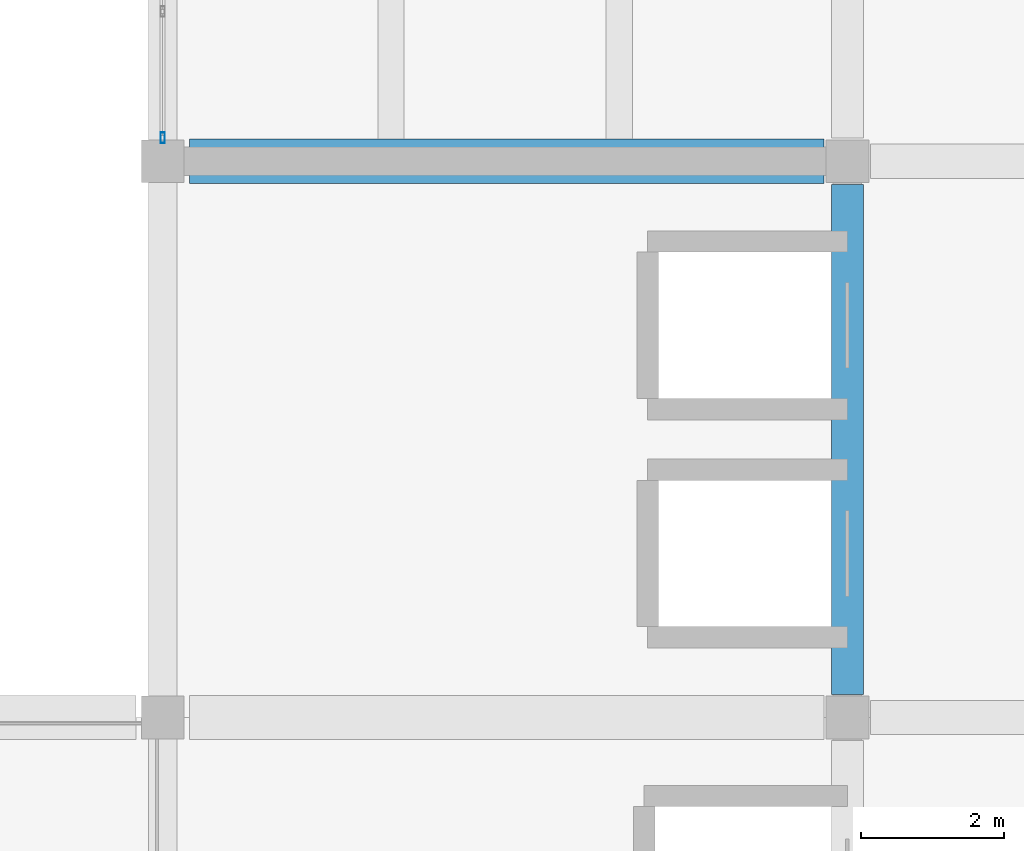
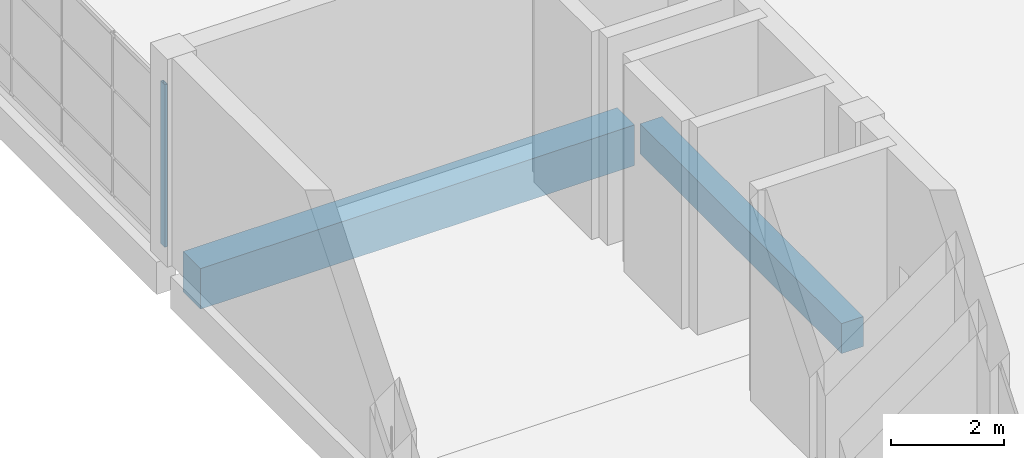
# One storey, part 23 of 71: 2 beams, 1 member, 1 element without a shape of its own.
"""IFC4 building model written with IfcOpenShell, lengths in metres."""

from ifc_helpers import new_model, si_unit, direction, frame, origin, origin_2d, place, context, subcontext, project, spatial, rectangle, hollow_rectangle, extrude, material, material_profile, profile_set, type_object, element, aggregate, save


model = new_model("IFC4")

# Units and contexts
model_context = context("Model", 3, precision=1e-05, world=origin(), true_north=direction((0.0, 1.0)))
body_context = subcontext(model_context, "Body", "Model", "MODEL_VIEW")
ifc_project = project(units=[si_unit("LENGTHUNIT", "METRE"), si_unit("AREAUNIT", "SQUARE_METRE"), si_unit("VOLUMEUNIT", "CUBIC_METRE"), si_unit("PLANEANGLEUNIT", "RADIAN"), si_unit("MASSUNIT", "GRAM", prefix="KILO")], contexts=[model_context])

# Site, building, storey
site_placement = place(None, origin())
site = spatial("IfcSite", under=ifc_project, at=site_placement, CompositionType="ELEMENT")
building_placement = place(site_placement, origin())
building = spatial("IfcBuilding", under=site, at=building_placement, Name="Pellamere Symphony Hall", CompositionType="ELEMENT")
storey_placement = place(building_placement, frame((0.0, 0.0, 15.0)))
storey = spatial("IfcBuildingStorey", under=building, at=storey_placement, Name="L03", CompositionType="ELEMENT", Elevation=15.0)

# Curtain wall, member
ifc_material_1 = material(Name="Thermally Broken Anodised Aluminium 6063-T6 Curtain Wall", Category="aluminium")
curtain_wall_type = type_object("IfcCurtainWallType", Name="Curtain Wall CW-05 (Artists Wing North Studio Ribbon Curtain Wall)", PredefinedType="NOTDEFINED", material=ifc_material_1)
curtain_wall_placement = place(storey_placement, origin())
curtain_wall = element("IfcCurtainWall", 1, at=curtain_wall_placement, inside=storey, type_object=curtain_wall_type, Name="Sculpture Court East Wing Curtain Wall (L03 Bay 1)", PredefinedType="NOTDEFINED")
ifc_material_2 = material(Name="Anodised Architectural Aluminium 6063-T6", Category="aluminium")
ifc_material_profile_1 = material_profile(ifc_material_2, hollow_rectangle(XDim=0.06005859375, YDim=0.14990234375, WallThickness=0.00390625, at=origin_2d()), Name="ALU-M60X150X4")
ifc_profile_set_1 = profile_set([ifc_material_profile_1], Name="Anodised Architectural Aluminium 6063-T6")
member_type = type_object("IfcMemberType", Name="Curtain Wall Mullion ML-03 ALU-M60X150X4", PredefinedType="MULLION", material=ifc_profile_set_1)
member_placement = place(storey_placement, frame((138.0, 62.1298828125, 0.0), z_axis=(0.0, 0.0, 1.0), x_axis=(-1.0, 0.0, 0.0)))
member = element("IfcMember", 2, at=member_placement, type_object=member_type, Name="CW5-142 crystal mullion 1", PredefinedType="MULLION", context=body_context, shape_type="SweptSolid", body=[
    extrude(hollow_rectangle(XDim=0.06005859375, YDim=0.14990234375, WallThickness=0.00390625, at=origin_2d()), origin(), (0.0, 0.0, 1.0), 3.52001953125),
])
aggregate(curtain_wall, [member])

# Beams
ifc_material_3 = material(Name="Concrete 40 MPa", Category="concrete")
ifc_material_profile_2 = material_profile(ifc_material_3, rectangle(XDim=0.449951171875, YDim=0.64990234375, at=origin_2d()), Name="RC 450x650")
ifc_profile_set_2 = profile_set([ifc_material_profile_2], Name="Concrete 40 MPa")
beam_type_1 = type_object("IfcBeamType", Name="RC CB-08 450x650", PredefinedType="BEAM", material=ifc_profile_set_2)
beam_1_placement = place(storey_placement, frame((147.60009765625, 54.324951171875, -0.5849609375), z_axis=(0.0, 1.0, 0.0), x_axis=(-1.0, 0.0, 0.0)))
element("IfcBeam", 3, at=beam_1_placement, inside=storey, type_object=beam_type_1, Name="Girder CB-08-Y1683 (L03)", PredefinedType="BEAM", context=body_context, shape_type="SweptSolid", body=[
    extrude(rectangle(XDim=0.449951171875, YDim=0.64990234375, at=origin_2d()), origin(), (0.0, 0.0, 1.0), 7.150146484375),
])
ifc_material_profile_3 = material_profile(ifc_material_3, rectangle(XDim=0.6201171875, YDim=0.8798828125, at=origin_2d()), Name="RC 620x880")
ifc_profile_set_3 = profile_set([ifc_material_profile_3], Name="Concrete 40 MPa")
beam_type_2 = type_object("IfcBeamType", Name="RC CB-17 620x880", PredefinedType="BEAM", material=ifc_profile_set_3)
beam_2_placement = place(storey_placement, frame((138.375, 61.800048828125, -0.699951171875), z_axis=(1.0, 0.0, 0.0), x_axis=(0.0, 1.0, 0.0)))
element("IfcBeam", 4, at=beam_2_placement, inside=storey, type_object=beam_type_2, Name="Girder CB-17-X1561 (L03)", PredefinedType="BEAM", context=body_context, shape_type="SweptSolid", body=[
    extrude(rectangle(XDim=0.6201171875, YDim=0.8798828125, at=origin_2d()), origin(), (0.0, 0.0, 1.0), 8.89990234375),
])

save(model, "model.ifc")
